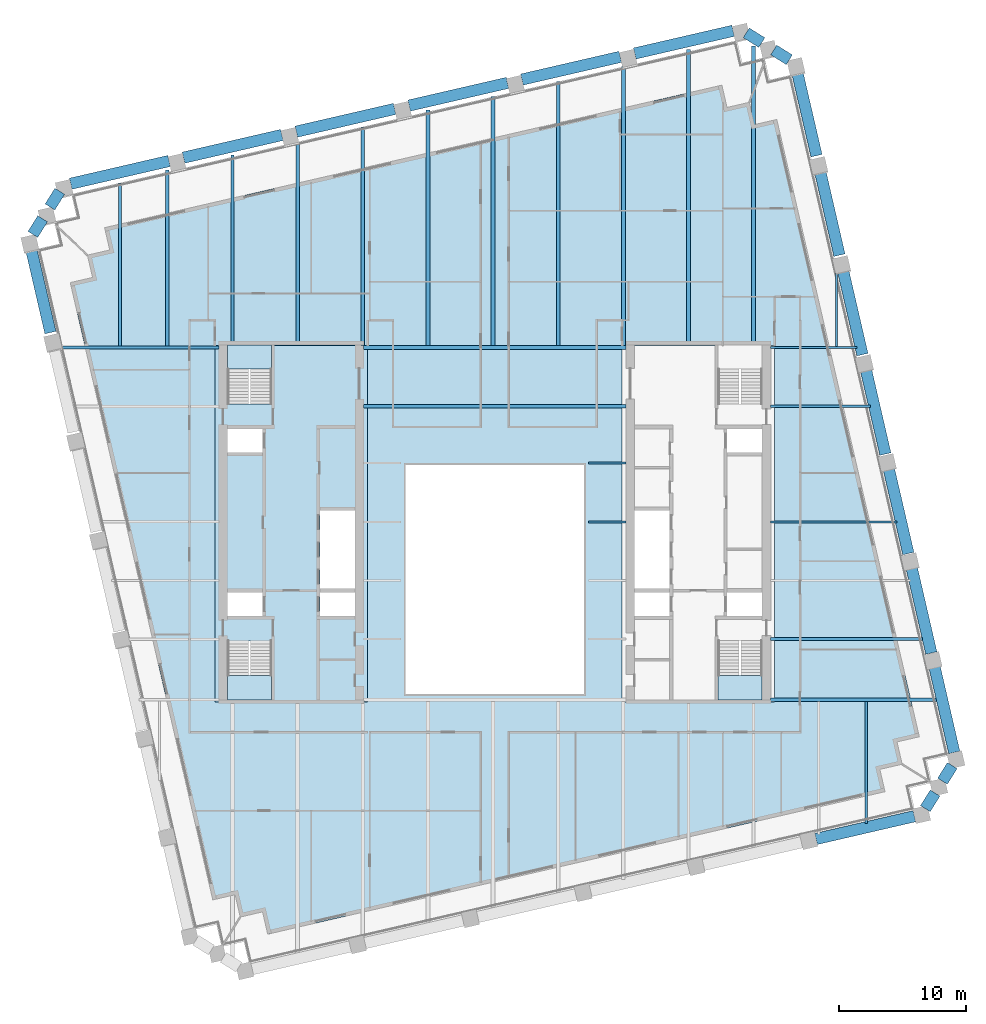
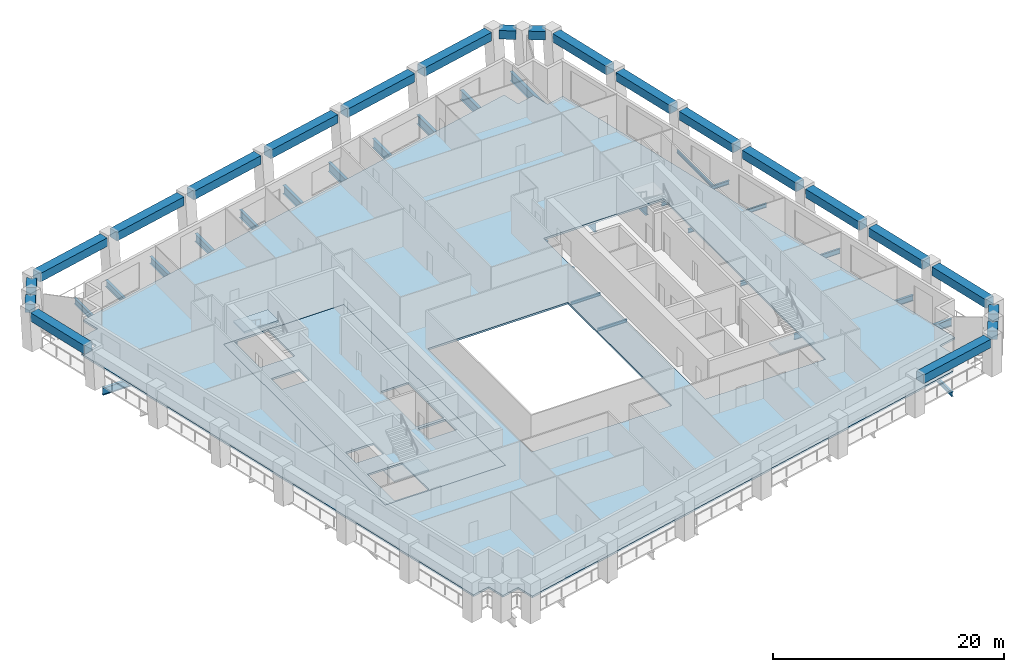
# One storey, part 2 of 10: 44 beams, 5 slabs, 3 elements without a shape of their own.
"""IFC4 building model written with IfcOpenShell, lengths in metres."""

from ifc_helpers import new_model, si_unit, direction, frame, origin, origin_2d, place, context, subcontext, project, spatial, polyline, rectangle, i_section, outline, extrude, material, layer, layer_set, material_profile, profile_set, type_object, element, aggregate, save


model = new_model("IFC4")

# Units and contexts
model_context = context("Model", 3, precision=1e-05, world=origin(), true_north=direction((0.0, 1.0)))
body_context = subcontext(model_context, "Body", "Model", "MODEL_VIEW")
ifc_project = project(units=[si_unit("LENGTHUNIT", "METRE"), si_unit("AREAUNIT", "SQUARE_METRE"), si_unit("VOLUMEUNIT", "CUBIC_METRE"), si_unit("PLANEANGLEUNIT", "RADIAN"), si_unit("MASSUNIT", "GRAM", prefix="KILO")], contexts=[model_context])

# Site, building, storey
site_placement = place(None, origin())
site = spatial("IfcSite", under=ifc_project, at=site_placement, CompositionType="ELEMENT")
building_placement = place(site_placement, origin())
building = spatial("IfcBuilding", under=site, at=building_placement, Name="Ogive Exchange Tower", CompositionType="ELEMENT")
storey_placement = place(building_placement, frame((0.0, 0.0, 180.0)))
storey = spatial("IfcBuildingStorey", under=building, at=storey_placement, Name="L39", CompositionType="ELEMENT", Elevation=180.0)

# Beams
ifc_material_1 = material(Name="Steel ASTM A992 Gr50", Category="steel")
ifc_material_profile_1 = material_profile(ifc_material_1, i_section(OverallWidth=0.300048828125, OverallDepth=0.969970703125, WebThickness=0.01611328125, FlangeThickness=0.02099609375, at=origin_2d()), Name="W1000x222")
ifc_profile_set_1 = profile_set([ifc_material_profile_1], Name="Steel ASTM A992 Gr50")
beam_type_1 = type_object("IfcBeamType", Name="Floor beam W1000x222", PredefinedType="JOIST", material=ifc_profile_set_1)
beam_1_placement = place(storey_placement, frame((-0.135986328125, 25.39501953125, -0.68505859375), z_axis=(0.0, 1.0, 0.0), x_axis=(-1.0, 0.0, 0.0)))
element("IfcBeam", 1, at=beam_1_placement, inside=storey, type_object=beam_type_1, Name="Floor beam", PredefinedType="JOIST", context=body_context, shape_type="SweptSolid", body=[
    extrude(i_section(OverallWidth=0.300048828125, OverallDepth=0.969970703125, WebThickness=0.01611328125, FlangeThickness=0.02099609375, at=origin_2d()), origin(), (0.0, 0.0, 1.0), 19.56640625),
])
ifc_material_profile_2 = material_profile(ifc_material_1, i_section(OverallWidth=0.300048828125, OverallDepth=0.97998046875, WebThickness=0.0166015625, FlangeThickness=0.026123046875, at=origin_2d()), Name="W1000x249")
ifc_profile_set_2 = profile_set([ifc_material_profile_2], Name="Steel ASTM A992 Gr50")
beam_type_2 = type_object("IfcBeamType", Name="Floor beam W1000x249", PredefinedType="JOIST", material=ifc_profile_set_2)
beam_2_placement = place(storey_placement, frame((-10.320068359375, 20.62255859375, -0.68994140625), z_axis=(1.0, 0.0, 0.0), x_axis=(0.0, 1.0, 0.0)))
element("IfcBeam", 2, at=beam_2_placement, inside=storey, type_object=beam_type_2, Name="Floor beam", PredefinedType="JOIST", context=body_context, shape_type="SweptSolid", body=[
    extrude(i_section(OverallWidth=0.300048828125, OverallDepth=0.97998046875, WebThickness=0.0166015625, FlangeThickness=0.026123046875, at=origin_2d()), origin(), (0.0, 0.0, 1.0), 20.64013671875),
])
beam_3_placement = place(storey_placement, frame((4.984619140625, 25.39501953125, -0.68994140625), z_axis=(0.0, 1.0, 0.0), x_axis=(-1.0, 0.0, 0.0)))
element("IfcBeam", 3, at=beam_3_placement, inside=storey, type_object=beam_type_2, Name="Floor beam", PredefinedType="JOIST", context=body_context, shape_type="SweptSolid", body=[
    extrude(i_section(OverallWidth=0.300048828125, OverallDepth=0.97998046875, WebThickness=0.0166015625, FlangeThickness=0.026123046875, at=origin_2d()), origin(), (0.0, 0.0, 1.0), 20.748779296875),
])
beam_4_placement = place(storey_placement, frame((10.10546875, 25.39501953125, -0.68994140625), z_axis=(0.0, 1.0, 0.0), x_axis=(-1.0, 0.0, 0.0)))
element("IfcBeam", 4, at=beam_4_placement, inside=storey, type_object=beam_type_2, Name="Floor beam", PredefinedType="JOIST", context=body_context, shape_type="SweptSolid", body=[
    extrude(i_section(OverallWidth=0.300048828125, OverallDepth=0.97998046875, WebThickness=0.0166015625, FlangeThickness=0.026123046875, at=origin_2d()), origin(), (0.0, 0.0, 1.0), 21.930908203125),
])
beam_5_placement = place(storey_placement, frame((15.226318359375, 25.39990234375, -0.68994140625), z_axis=(0.0, 1.0, 0.0), x_axis=(-1.0, 0.0, 0.0)))
element("IfcBeam", 5, at=beam_5_placement, inside=storey, type_object=beam_type_2, Name="Floor beam", PredefinedType="JOIST", context=body_context, shape_type="SweptSolid", body=[
    extrude(i_section(OverallWidth=0.300048828125, OverallDepth=0.97998046875, WebThickness=0.0166015625, FlangeThickness=0.026123046875, at=origin_2d()), origin(), (0.0, 0.0, 1.0), 23.25830078125),
])
beam_6_placement = place(storey_placement, frame((20.34716796875, 25.39990234375, -0.68994140625), z_axis=(0.0, 1.0, 0.0), x_axis=(-1.0, 0.0, 0.0)))
element("IfcBeam", 6, at=beam_6_placement, inside=storey, type_object=beam_type_2, Name="Floor beam", PredefinedType="JOIST", context=body_context, shape_type="SweptSolid", body=[
    extrude(i_section(OverallWidth=0.300048828125, OverallDepth=0.97998046875, WebThickness=0.0166015625, FlangeThickness=0.026123046875, at=origin_2d()), origin(), (0.0, 0.0, 1.0), 23.54150390625),
])
ifc_material_profile_3 = material_profile(ifc_material_1, i_section(OverallWidth=0.1650390625, OverallDepth=0.31005859375, WebThickness=0.005859375, FlangeThickness=0.009765625, at=origin_2d()), Name="W310x38.7")
ifc_profile_set_3 = profile_set([ifc_material_profile_3], Name="Steel ASTM A992 Gr50")
beam_type_3 = type_object("IfcBeamType", Name="Floor beam W310x38.7", PredefinedType="JOIST", material=ifc_profile_set_3)
beam_7_placement = place(storey_placement, frame((7.3701171875, 11.543701171875, -0.35498046875), z_axis=(1.0, 0.0, 0.0), x_axis=(0.0, 1.0, 0.0)))
element("IfcBeam", 7, at=beam_7_placement, inside=storey, type_object=beam_type_3, Name="Floor beam", PredefinedType="JOIST", context=body_context, shape_type="SweptSolid", body=[
    extrude(i_section(OverallWidth=0.1650390625, OverallDepth=0.31005859375, WebThickness=0.005859375, FlangeThickness=0.009765625, at=origin_2d()), origin(), (0.0, 0.0, 1.0), 2.949951171875),
])
beam_8_placement = place(storey_placement, frame((26.867919921875, 25.333984375, -0.35498046875), z_axis=(0.0, 1.0, 0.0), x_axis=(-1.0, 0.0, 0.0)))
element("IfcBeam", 8, at=beam_8_placement, inside=storey, type_object=beam_type_3, Name="Floor beam", PredefinedType="JOIST", context=body_context, shape_type="SweptSolid", body=[
    extrude(i_section(OverallWidth=0.1650390625, OverallDepth=0.31005859375, WebThickness=0.005859375, FlangeThickness=0.009765625, at=origin_2d()), origin(), (0.0, 0.0, 1.0), 6.151123046875),
])
ifc_material_profile_4 = material_profile(ifc_material_1, i_section(OverallWidth=0.177978515625, OverallDepth=0.406005859375, WebThickness=0.0078125, FlangeThickness=0.0126953125, at=origin_2d()), Name="W410x60")
ifc_profile_set_4 = profile_set([ifc_material_profile_4], Name="Steel ASTM A992 Gr50")
beam_type_4 = type_object("IfcBeamType", Name="Floor beam W410x60", PredefinedType="JOIST", material=ifc_profile_set_4)
beam_9_placement = place(storey_placement, frame((21.679931640625, 20.62255859375, -0.403076171875), z_axis=(1.0, 0.0, 0.0), x_axis=(0.0, 1.0, 0.0)))
element("IfcBeam", 9, at=beam_9_placement, inside=storey, type_object=beam_type_4, Name="Floor beam", PredefinedType="JOIST", context=body_context, shape_type="SweptSolid", body=[
    extrude(i_section(OverallWidth=0.177978515625, OverallDepth=0.406005859375, WebThickness=0.0078125, FlangeThickness=0.0126953125, at=origin_2d()), origin(), (0.0, 0.0, 1.0), 7.845703125),
])
ifc_material_profile_5 = material_profile(ifc_material_1, i_section(OverallWidth=0.19091796875, OverallDepth=0.45703125, WebThickness=0.009033203125, FlangeThickness=0.014404296875, at=origin_2d()), Name="W460x74")
ifc_profile_set_5 = profile_set([ifc_material_profile_5], Name="Steel ASTM A992 Gr50")
beam_type_5 = type_object("IfcBeamType", Name="Floor beam W460x74", PredefinedType="JOIST", material=ifc_profile_set_5)
beam_10_placement = place(storey_placement, frame((29.188720703125, -12.162109375, -0.428466796875), z_axis=(0.0, 1.0, 0.0), x_axis=(-1.0, 0.0, 0.0)))
element("IfcBeam", 10, at=beam_10_placement, inside=storey, type_object=beam_type_5, Name="Floor beam", PredefinedType="JOIST", context=body_context, shape_type="SweptSolid", body=[
    extrude(i_section(OverallWidth=0.19091796875, OverallDepth=0.45703125, WebThickness=0.009033203125, FlangeThickness=0.014404296875, at=origin_2d()), origin(), (0.0, 0.0, 1.0), 9.58349609375),
])
ifc_material_profile_6 = material_profile(ifc_material_1, i_section(OverallWidth=0.1669921875, OverallDepth=0.535888671875, WebThickness=0.01025390625, FlangeThickness=0.0166015625, at=origin_2d()), Name="W530x85")
ifc_profile_set_6 = profile_set([ifc_material_profile_6], Name="Steel ASTM A992 Gr50")
beam_type_6 = type_object("IfcBeamType", Name="Floor beam W530x85", PredefinedType="JOIST", material=ifc_profile_set_6)
beam_11_placement = place(storey_placement, frame((21.679931640625, 11.543701171875, -0.468017578125), z_axis=(1.0, 0.0, 0.0), x_axis=(0.0, 1.0, 0.0)))
element("IfcBeam", 11, at=beam_11_placement, inside=storey, type_object=beam_type_6, Name="Floor beam", PredefinedType="JOIST", context=body_context, shape_type="SweptSolid", body=[
    extrude(i_section(OverallWidth=0.1669921875, OverallDepth=0.535888671875, WebThickness=0.01025390625, FlangeThickness=0.0166015625, at=origin_2d()), origin(), (0.0, 0.0, 1.0), 9.941650390625),
])
ifc_material_profile_7 = material_profile(ifc_material_1, i_section(OverallWidth=0.22802734375, OverallDepth=0.60205078125, WebThickness=0.010498046875, FlangeThickness=0.014892578125, at=origin_2d()), Name="W610x101")
ifc_profile_set_7 = profile_set([ifc_material_profile_7], Name="Steel ASTM A992 Gr50")
beam_type_7 = type_object("IfcBeamType", Name="Floor beam W610x101", PredefinedType="JOIST", material=ifc_profile_set_7)
beam_12_placement = place(storey_placement, frame((21.679931640625, 2.3212890625, -0.5009765625), z_axis=(1.0, 0.0, 0.0), x_axis=(0.0, 1.0, 0.0)))
element("IfcBeam", 12, at=beam_12_placement, inside=storey, type_object=beam_type_7, Name="Floor beam", PredefinedType="JOIST", context=body_context, shape_type="SweptSolid", body=[
    extrude(i_section(OverallWidth=0.22802734375, OverallDepth=0.60205078125, WebThickness=0.010498046875, FlangeThickness=0.014892578125, at=origin_2d()), origin(), (0.0, 0.0, 1.0), 11.9208984375),
])
ifc_material_profile_8 = material_profile(ifc_material_1, i_section(OverallWidth=0.22900390625, OverallDepth=0.612060546875, WebThickness=0.011962890625, FlangeThickness=0.01953125, at=origin_2d()), Name="W610x125")
ifc_profile_set_8 = profile_set([ifc_material_profile_8], Name="Steel ASTM A992 Gr50")
beam_type_8 = type_object("IfcBeamType", Name="Floor beam W610x125", PredefinedType="JOIST", material=ifc_profile_set_8)
beam_13_placement = place(storey_placement, frame((-29.4609375, 25.37841796875, -0.506103515625), z_axis=(0.0, 1.0, 0.0), x_axis=(-1.0, 0.0, 0.0)))
element("IfcBeam", 13, at=beam_13_placement, inside=storey, type_object=beam_type_8, Name="Floor beam", PredefinedType="JOIST", context=body_context, shape_type="SweptSolid", body=[
    extrude(i_section(OverallWidth=0.22900390625, OverallDepth=0.612060546875, WebThickness=0.011962890625, FlangeThickness=0.01953125, at=origin_2d()), origin(), (0.0, 0.0, 1.0), 12.81298828125),
])
ifc_material_profile_9 = material_profile(ifc_material_1, i_section(OverallWidth=0.25390625, OverallDepth=0.677978515625, WebThickness=0.01171875, FlangeThickness=0.016357421875, at=origin_2d()), Name="W690x125")
ifc_profile_set_9 = profile_set([ifc_material_profile_9], Name="Steel ASTM A992 Gr50")
beam_type_9 = type_object("IfcBeamType", Name="Floor beam W690x125", PredefinedType="JOIST", material=ifc_profile_set_9)
beam_14_placement = place(storey_placement, frame((-25.739990234375, 25.37841796875, -0.5390625), z_axis=(0.0, 1.0, 0.0), x_axis=(-1.0, 0.0, 0.0)))
element("IfcBeam", 14, at=beam_14_placement, inside=storey, type_object=beam_type_9, Name="Floor beam", PredefinedType="JOIST", context=body_context, shape_type="SweptSolid", body=[
    extrude(i_section(OverallWidth=0.25390625, OverallDepth=0.677978515625, WebThickness=0.01171875, FlangeThickness=0.016357421875, at=origin_2d()), origin(), (0.0, 0.0, 1.0), 13.82177734375),
])
ifc_material_profile_10 = material_profile(ifc_material_1, i_section(OverallWidth=0.26708984375, OverallDepth=0.75390625, WebThickness=0.01318359375, FlangeThickness=0.01708984375, at=origin_2d()), Name="W760x147")
ifc_profile_set_10 = profile_set([ifc_material_profile_10], Name="Steel ASTM A992 Gr50")
beam_type_10 = type_object("IfcBeamType", Name="Floor beam W760x147", PredefinedType="JOIST", material=ifc_profile_set_10)
beam_15_placement = place(storey_placement, frame((-20.619384765625, 25.39990234375, -0.576904296875), z_axis=(0.0, 1.0, 0.0), x_axis=(-1.0, 0.0, 0.0)))
element("IfcBeam", 15, at=beam_15_placement, inside=storey, type_object=beam_type_10, Name="Floor beam", PredefinedType="JOIST", context=body_context, shape_type="SweptSolid", body=[
    extrude(i_section(OverallWidth=0.26708984375, OverallDepth=0.75390625, WebThickness=0.01318359375, FlangeThickness=0.01708984375, at=origin_2d()), origin(), (0.0, 0.0, 1.0), 14.982666015625),
])
ifc_material_profile_11 = material_profile(ifc_material_1, i_section(OverallWidth=0.2919921875, OverallDepth=0.8359375, WebThickness=0.013916015625, FlangeThickness=0.018798828125, at=origin_2d()), Name="W840x176")
ifc_profile_set_11 = profile_set([ifc_material_profile_11], Name="Steel ASTM A992 Gr50")
beam_type_11 = type_object("IfcBeamType", Name="Floor beam W840x176", PredefinedType="JOIST", material=ifc_profile_set_11)
beam_16_placement = place(storey_placement, frame((-15.49853515625, 25.39990234375, -0.617919921875), z_axis=(0.0, 1.0, 0.0), x_axis=(-1.0, 0.0, 0.0)))
element("IfcBeam", 16, at=beam_16_placement, inside=storey, type_object=beam_type_11, Name="Floor beam", PredefinedType="JOIST", context=body_context, shape_type="SweptSolid", body=[
    extrude(i_section(OverallWidth=0.2919921875, OverallDepth=0.8359375, WebThickness=0.013916015625, FlangeThickness=0.018798828125, at=origin_2d()), origin(), (0.0, 0.0, 1.0), 16.014892578125),
])
beam_17_placement = place(storey_placement, frame((-10.377685546875, 25.39990234375, -0.617919921875), z_axis=(0.0, 1.0, 0.0), x_axis=(-1.0, 0.0, 0.0)))
element("IfcBeam", 17, at=beam_17_placement, inside=storey, type_object=beam_type_11, Name="Floor beam", PredefinedType="JOIST", context=body_context, shape_type="SweptSolid", body=[
    extrude(i_section(OverallWidth=0.2919921875, OverallDepth=0.8359375, WebThickness=0.013916015625, FlangeThickness=0.018798828125, at=origin_2d()), origin(), (0.0, 0.0, 1.0), 17.197021484375),
])
ifc_material_profile_12 = material_profile(ifc_material_1, i_section(OverallWidth=0.304931640625, OverallDepth=0.904052734375, WebThickness=0.01513671875, FlangeThickness=0.02001953125, at=origin_2d()), Name="W920x201")
ifc_profile_set_12 = profile_set([ifc_material_profile_12], Name="Steel ASTM A992 Gr50")
beam_type_12 = type_object("IfcBeamType", Name="Floor beam W920x201", PredefinedType="JOIST", material=ifc_profile_set_12)
beam_18_placement = place(storey_placement, frame((-5.2568359375, 25.39501953125, -0.652099609375), z_axis=(0.0, 1.0, 0.0), x_axis=(-1.0, 0.0, 0.0)))
element("IfcBeam", 18, at=beam_18_placement, inside=storey, type_object=beam_type_12, Name="Floor beam", PredefinedType="JOIST", context=body_context, shape_type="SweptSolid", body=[
    extrude(i_section(OverallWidth=0.304931640625, OverallDepth=0.904052734375, WebThickness=0.01513671875, FlangeThickness=0.02001953125, at=origin_2d()), origin(), (0.0, 0.0, 1.0), 18.5341796875),
])
ifc_material_profile_13 = material_profile(ifc_material_1, i_section(OverallWidth=0.300048828125, OverallDepth=0.97998046875, WebThickness=0.0166015625, FlangeThickness=0.026123046875, at=origin_2d()), Name="W1000x249")
ifc_profile_set_13 = profile_set([ifc_material_profile_13], Name="Steel ASTM A992 Gr50")
beam_type_13 = type_object("IfcBeamType", Name="Girder W1000x249", PredefinedType="BEAM", material=ifc_profile_set_13)
beam_19_placement = place(storey_placement, frame((-10.320068359375, 25.2451171875, -0.68994140625), z_axis=(1.0, 0.0, 0.0), x_axis=(0.0, 1.0, 0.0)))
element("IfcBeam", 19, at=beam_19_placement, inside=storey, type_object=beam_type_13, Name="Header girder", PredefinedType="BEAM", context=body_context, shape_type="SweptSolid", body=[
    extrude(i_section(OverallWidth=0.300048828125, OverallDepth=0.97998046875, WebThickness=0.0166015625, FlangeThickness=0.026123046875, at=origin_2d()), origin(), (0.0, 0.0, 1.0), 20.64013671875),
])
ifc_material_profile_14 = material_profile(ifc_material_1, i_section(OverallWidth=0.1650390625, OverallDepth=0.31005859375, WebThickness=0.005859375, FlangeThickness=0.009765625, at=origin_2d()), Name="W310x38.7")
ifc_profile_set_14 = profile_set([ifc_material_profile_14], Name="Steel ASTM A992 Gr50")
beam_type_14 = type_object("IfcBeamType", Name="Girder W310x38.7", PredefinedType="BEAM", material=ifc_profile_set_14)
beam_20_placement = place(storey_placement, frame((7.3701171875, 16.155029296875, -0.35498046875), z_axis=(1.0, 0.0, 0.0), x_axis=(0.0, 1.0, 0.0)))
element("IfcBeam", 20, at=beam_20_placement, inside=storey, type_object=beam_type_14, Name="Trimmer girder", PredefinedType="BEAM", context=body_context, shape_type="SweptSolid", body=[
    extrude(i_section(OverallWidth=0.1650390625, OverallDepth=0.31005859375, WebThickness=0.005859375, FlangeThickness=0.009765625, at=origin_2d()), origin(), (0.0, 0.0, 1.0), 2.949951171875),
])
ifc_material_profile_15 = material_profile(ifc_material_1, i_section(OverallWidth=0.177978515625, OverallDepth=0.406005859375, WebThickness=0.0078125, FlangeThickness=0.0126953125, at=origin_2d()), Name="W410x60")
ifc_profile_set_15 = profile_set([ifc_material_profile_15], Name="Steel ASTM A992 Gr50")
beam_type_15 = type_object("IfcBeamType", Name="Girder W410x60", PredefinedType="BEAM", material=ifc_profile_set_15)
beam_21_placement = place(storey_placement, frame((21.679931640625, 25.2451171875, -0.403076171875), z_axis=(1.0, 0.0, 0.0), x_axis=(0.0, 1.0, 0.0)))
element("IfcBeam", 21, at=beam_21_placement, inside=storey, type_object=beam_type_15, Name="Header girder", PredefinedType="BEAM", context=body_context, shape_type="SweptSolid", body=[
    extrude(i_section(OverallWidth=0.177978515625, OverallDepth=0.406005859375, WebThickness=0.0078125, FlangeThickness=0.0126953125, at=origin_2d()), origin(), (0.0, 0.0, 1.0), 6.778564453125),
])
ifc_material_profile_16 = material_profile(ifc_material_1, i_section(OverallWidth=0.26708984375, OverallDepth=0.75390625, WebThickness=0.01318359375, FlangeThickness=0.01708984375, at=origin_2d()), Name="W760x147")
ifc_profile_set_16 = profile_set([ifc_material_profile_16], Name="Steel ASTM A992 Gr50")
beam_type_16 = type_object("IfcBeamType", Name="Girder W760x147", PredefinedType="BEAM", material=ifc_profile_set_16)
beam_22_placement = place(storey_placement, frame((21.679931640625, -2.445068359375, -0.576904296875), z_axis=(1.0, 0.0, 0.0), x_axis=(0.0, 1.0, 0.0)))
element("IfcBeam", 22, at=beam_22_placement, inside=storey, type_object=beam_type_16, Name="Header girder", PredefinedType="BEAM", context=body_context, shape_type="SweptSolid", body=[
    extrude(i_section(OverallWidth=0.26708984375, OverallDepth=0.75390625, WebThickness=0.01318359375, FlangeThickness=0.01708984375, at=origin_2d()), origin(), (0.0, 0.0, 1.0), 13.021484375),
])
beam_23_placement = place(storey_placement, frame((-34.193359375, 25.2451171875, -0.576904296875), z_axis=(1.0, 0.0, 0.0), x_axis=(0.0, 1.0, 0.0)))
element("IfcBeam", 23, at=beam_23_placement, inside=storey, type_object=beam_type_16, Name="Header girder", PredefinedType="BEAM", context=body_context, shape_type="SweptSolid", body=[
    extrude(i_section(OverallWidth=0.26708984375, OverallDepth=0.75390625, WebThickness=0.01318359375, FlangeThickness=0.01708984375, at=origin_2d()), origin(), (0.0, 0.0, 1.0), 12.513427734375),
])
ifc_material_2 = material(Name="Precast concrete C70/85 (limestone faced)", Category="masonry")
ifc_material_profile_17 = material_profile(ifc_material_2, rectangle(XDim=0.89990234375, YDim=0.89990234375, at=origin_2d()), Name="900 x 900")
ifc_profile_set_17 = profile_set([ifc_material_profile_17], Name="Precast concrete C70/85 (limestone faced)")
beam_type_17 = type_object("IfcBeamType", Name="Precast spandrel 900 x 900 C70/85", PredefinedType="SPANDREL", material=ifc_profile_set_17)
beam_24_placement = place(storey_placement, frame((25.249755859375, -13.383544921875, 3.5), z_axis=(0.974368388194, 0.224958316335, 0.0), x_axis=(-0.224958316335, 0.974368388194, 0.0)))
element("IfcBeam", 24, at=beam_24_placement, inside=storey, type_object=beam_type_17, Name="Spandrel 6", PredefinedType="SPANDREL", context=body_context, shape_type="SweptSolid", body=[
    extrude(rectangle(XDim=0.89990234375, YDim=0.89990234375, at=origin_2d()), origin(), (0.0, 0.0, 1.0), 7.93994140625),
])
for number, where, z_axis, x_axis, name in (
    (25, (33.842041015625, -11.001708984375, 3.5), (0.529877740036, 0.848074041941, 0.0), (-0.848074041941, 0.529877740036, 0.0), "Spandrel 7"),
    (26, (35.19091796875, -8.843017578125, 3.5), (0.529877740036, 0.848074041941, 0.0), (-0.848074041941, 0.529877740036, 0.0), "Spandrel 8"),
):
    element("IfcBeam", number, at=place(storey_placement, frame(where, z_axis=z_axis, x_axis=x_axis)), inside=storey, type_object=beam_type_17, Name=name, PredefinedType="SPANDREL", context=body_context, shape_type="SweptSolid", body=[
        extrude(rectangle(XDim=0.89990234375, YDim=0.89990234375, at=origin_2d()), origin(), (0.0, 0.0, 1.0), 1.448486328125),
    ])
for number, where, z_axis, x_axis, name in (
    (27, (36.11865234375, -6.584228515625, 3.5), (-0.224953030258, 0.974369608607, 0.0), (-0.974369608607, -0.224953030258, 0.0), "Spandrel 9"),
    (28, (34.31396484375, 1.2333984375, 3.5), (-0.224953030258, 0.974369608607, 0.0), (-0.974369608607, -0.224953030258, 0.0), "Spandrel 10"),
    (29, (32.509033203125, 9.051025390625, 3.5), (-0.224953030258, 0.974369608607, 0.0), (-0.974369608607, -0.224953030258, 0.0), "Spandrel 11"),
):
    element("IfcBeam", number, at=place(storey_placement, frame(where, z_axis=z_axis, x_axis=x_axis)), inside=storey, type_object=beam_type_17, Name=name, PredefinedType="SPANDREL", context=body_context, shape_type="SweptSolid", body=[
        extrude(rectangle(XDim=0.89990234375, YDim=0.89990234375, at=origin_2d()), origin(), (0.0, 0.0, 1.0), 6.863525390625),
    ])
beam_25_placement = place(storey_placement, frame((30.7041015625, 16.868896484375, 3.5), z_axis=(-0.224927054581, 0.974375605256, 0.0), x_axis=(-0.974375605256, -0.224927054581, 0.0)))
element("IfcBeam", 30, at=beam_25_placement, inside=storey, type_object=beam_type_17, Name="Spandrel 12", PredefinedType="SPANDREL", context=body_context, shape_type="SweptSolid", body=[
    extrude(rectangle(XDim=0.89990234375, YDim=0.89990234375, at=origin_2d()), origin(), (0.0, 0.0, 1.0), 6.863037109375),
])
beam_26_placement = place(storey_placement, frame((28.8994140625, 24.686279296875, 3.5), z_axis=(-0.224953030258, 0.974369608607, 0.0), x_axis=(-0.974369608607, -0.224953030258, 0.0)))
element("IfcBeam", 31, at=beam_26_placement, inside=storey, type_object=beam_type_17, Name="Spandrel 13", PredefinedType="SPANDREL", context=body_context, shape_type="SweptSolid", body=[
    extrude(rectangle(XDim=0.89990234375, YDim=0.89990234375, at=origin_2d()), origin(), (0.0, 0.0, 1.0), 6.863525390625),
])
for number, where, z_axis, x_axis, name in (
    (32, (27.094482421875, 32.504150390625, 3.5), (-0.224960827306, 0.974367808467, 0.0), (-0.974367808467, -0.224960827306, 0.0), "Spandrel 14"),
    (33, (25.28955078125, 40.32177734375, 3.5), (-0.224960827306, 0.974367808467, 0.0), (-0.974367808467, -0.224960827306, 0.0), "Spandrel 15"),
):
    element("IfcBeam", number, at=place(storey_placement, frame(where, z_axis=z_axis, x_axis=x_axis)), inside=storey, type_object=beam_type_17, Name=name, PredefinedType="SPANDREL", context=body_context, shape_type="SweptSolid", body=[
        extrude(rectangle(XDim=0.89990234375, YDim=0.89990234375, at=origin_2d()), origin(), (0.0, 0.0, 1.0), 6.86328125),
    ])
for number, where, z_axis, x_axis, name in (
    (34, (23.150146484375, 47.864990234375, 3.5), (-0.848074041941, 0.529877740036, 0.0), (-0.529877740036, -0.848074041941, 0.0), "Spandrel 16"),
    (35, (20.9912109375, 49.2138671875, 3.5), (-0.848026711821, 0.529953484787, 0.0), (-0.529953484787, -0.848026711821, 0.0), "Spandrel 17"),
):
    element("IfcBeam", number, at=place(storey_placement, frame(where, z_axis=z_axis, x_axis=x_axis)), inside=storey, type_object=beam_type_17, Name=name, PredefinedType="SPANDREL", context=body_context, shape_type="SweptSolid", body=[
        extrude(rectangle(XDim=0.89990234375, YDim=0.89990234375, at=origin_2d()), origin(), (0.0, 0.0, 1.0), 1.448486328125),
    ])
beam_27_placement = place(storey_placement, frame((18.732666015625, 50.1416015625, 3.5), z_axis=(-0.974376683324, -0.224922384377, 0.0), x_axis=(0.224922384377, -0.974376683324, 0.0)))
element("IfcBeam", 36, at=beam_27_placement, inside=storey, type_object=beam_type_17, Name="Spandrel 18", PredefinedType="SPANDREL", context=body_context, shape_type="SweptSolid", body=[
    extrude(rectangle(XDim=0.89990234375, YDim=0.89990234375, at=origin_2d()), origin(), (0.0, 0.0, 1.0), 7.93994140625),
])
beam_28_placement = place(storey_placement, frame((9.86572265625, 48.094482421875, 3.5), z_axis=(-0.974375127705, -0.224929123301, 0.0), x_axis=(0.224929123301, -0.974375127705, 0.0)))
element("IfcBeam", 37, at=beam_28_placement, inside=storey, type_object=beam_type_17, Name="Spandrel 19", PredefinedType="SPANDREL", context=body_context, shape_type="SweptSolid", body=[
    extrude(rectangle(XDim=0.89990234375, YDim=0.89990234375, at=origin_2d()), origin(), (0.0, 0.0, 1.0), 7.939697265625),
])
for number, where, z_axis, x_axis, name in (
    (38, (0.9990234375, 46.047607421875, 3.5), (-0.974369944206, -0.224951576629, 0.0), (0.224951576629, -0.974369944206, 0.0), "Spandrel 20"),
    (39, (-7.86767578125, 44.00048828125, 3.5), (-0.974369944206, -0.224951576629, 0.0), (0.224951576629, -0.974369944206, 0.0), "Spandrel 21"),
):
    element("IfcBeam", number, at=place(storey_placement, frame(where, z_axis=z_axis, x_axis=x_axis)), inside=storey, type_object=beam_type_17, Name=name, PredefinedType="SPANDREL", context=body_context, shape_type="SweptSolid", body=[
        extrude(rectangle(XDim=0.89990234375, YDim=0.89990234375, at=origin_2d()), origin(), (0.0, 0.0, 1.0), 7.940185546875),
    ])
beam_29_placement = place(storey_placement, frame((-16.734619140625, 41.95361328125, 3.5), z_axis=(-0.974368388194, -0.224958316335, 0.0), x_axis=(0.224958316335, -0.974368388194, 0.0)))
element("IfcBeam", 40, at=beam_29_placement, inside=storey, type_object=beam_type_17, Name="Spandrel 22", PredefinedType="SPANDREL", context=body_context, shape_type="SweptSolid", body=[
    extrude(rectangle(XDim=0.89990234375, YDim=0.89990234375, at=origin_2d()), origin(), (0.0, 0.0, 1.0), 7.93994140625),
])
beam_30_placement = place(storey_placement, frame((-25.601318359375, 39.906494140625, 3.5), z_axis=(-0.974369944206, -0.224951576629, 0.0), x_axis=(0.224951576629, -0.974369944206, 0.0)))
element("IfcBeam", 41, at=beam_30_placement, inside=storey, type_object=beam_type_17, Name="Spandrel 23", PredefinedType="SPANDREL", context=body_context, shape_type="SweptSolid", body=[
    extrude(rectangle(XDim=0.89990234375, YDim=0.89990234375, at=origin_2d()), origin(), (0.0, 0.0, 1.0), 7.940185546875),
])
for number, where, z_axis, x_axis, name in (
    (42, (-34.193603515625, 37.524658203125, 3.5), (-0.529877740036, -0.848074041941, 0.0), (0.848074041941, -0.529877740036, 0.0), "Spandrel 24"),
    (43, (-35.54248046875, 35.365966796875, 3.5), (-0.529877740036, -0.848074041941, 0.0), (0.848074041941, -0.529877740036, 0.0), "Spandrel 25"),
):
    element("IfcBeam", number, at=place(storey_placement, frame(where, z_axis=z_axis, x_axis=x_axis)), inside=storey, type_object=beam_type_17, Name=name, PredefinedType="SPANDREL", context=body_context, shape_type="SweptSolid", body=[
        extrude(rectangle(XDim=0.89990234375, YDim=0.89990234375, at=origin_2d()), origin(), (0.0, 0.0, 1.0), 1.448486328125),
    ])
beam_31_placement = place(storey_placement, frame((-36.47021484375, 33.107177734375, 3.5), z_axis=(0.224927054581, -0.974375605256, 0.0), x_axis=(0.974375605256, 0.224927054581, 0.0)))
element("IfcBeam", 44, at=beam_31_placement, inside=storey, type_object=beam_type_17, Name="Spandrel 26", PredefinedType="SPANDREL", context=body_context, shape_type="SweptSolid", body=[
    extrude(rectangle(XDim=0.89990234375, YDim=0.89990234375, at=origin_2d()), origin(), (0.0, 0.0, 1.0), 6.863037109375),
])

# Slabs
ifc_material_3 = material(Name="Concrete C50/60", Category="concrete")
ifc_layer_1 = layer(ifc_material_3, 0.199951171875)
ifc_layer_set_1 = layer_set([ifc_layer_1], Name="Composite floor slab 200")
slab_type_1 = type_object("IfcSlabType", Name="Composite floor slab 200", PredefinedType="FLOOR", material=ifc_layer_set_1)
slab_1_placement = place(storey_placement, frame((0.0, 0.0, -0.199951171875)))
element("IfcSlab", 45, at=slab_1_placement, inside=storey, type_object=slab_type_1, Name="Composite floor slab", PredefinedType="FLOOR", context=body_context, shape_type="SweptSolid", body=[
    extrude(outline(polyline([(-18.255615234375, -19.116943359375), (-20.009521484375, -19.52197265625), (-20.414306640625, -17.76806640625), (-22.168212890625, -18.1728515625), (-33.370849609375, 30.3505859375), (-31.616943359375, 30.755615234375), (-32.02197265625, 32.509521484375), (-30.26806640625, 32.914306640625), (-30.6728515625, 34.668212890625), (17.8505859375, 45.870849609375), (18.255615234375, 44.116943359375), (20.009521484375, 44.52197265625), (20.414306640625, 42.76806640625), (22.168212890625, 43.1728515625), (33.370849609375, -5.3505859375), (31.616943359375, -5.755615234375), (32.02197265625, -7.509521484375), (30.26806640625, -7.914306640625), (30.6728515625, -9.668212890625), (-17.8505859375, -20.870849609375), (-18.255615234375, -19.116943359375)]), holes=[polyline([(7.0, -2.0), (7.0, 16.0), (-7.0, 16.0), (-7.0, -2.0), (7.0, -2.0)]), polyline([(-22.0, -2.60009765625), (-10.0, -2.60009765625), (-10.0, 25.39990234375), (-22.0, 25.39990234375), (-22.0, -2.60009765625)]), polyline([(10.0, -2.60009765625), (22.0, -2.60009765625), (22.0, 25.39990234375), (10.0, 25.39990234375), (10.0, -2.60009765625)])]), origin(), (0.0, 0.0, 1.0), 0.199951171875),
])
ifc_material_4 = material(Name="Concrete C70/85", Category="concrete")
ifc_layer_2 = layer(ifc_material_4, 0.199951171875)
ifc_layer_set_2 = layer_set([ifc_layer_2], Name="Core floor slab 200")
slab_type_2 = type_object("IfcSlabType", Name="Core floor slab 200", PredefinedType="FLOOR", material=ifc_layer_set_2)
slab_2_placement = place(storey_placement, frame((0.0, 0.0, -0.199951171875)))
element("IfcSlab", 46, at=slab_2_placement, inside=storey, type_object=slab_type_2, Name="Core floor slab", PredefinedType="FLOOR", context=body_context, shape_type="SweptSolid", body=[
    extrude(outline(polyline([(-10.0, 25.39990234375), (-10.0, -2.60009765625), (-22.0, -2.60009765625), (-22.0, 25.39990234375), (-21.0, 25.39990234375), (-21.0, 20.803955078125), (-17.550048828125, 20.803955078125), (-17.550048828125, 25.39990234375), (-10.0, 25.39990234375)]), holes=[polyline([(-17.550048828125, 2.196044921875), (-21.0, 2.196044921875), (-21.0, -2.449951171875), (-17.550048828125, -2.449951171875), (-17.550048828125, 2.196044921875)]), polyline([(-18.25, 5.992919921875), (-21.0, 5.992919921875), (-21.0, 4.14990234375), (-18.25, 4.14990234375), (-18.25, 5.992919921875)]), polyline([(-11.0, 5.992919921875), (-13.75, 5.992919921875), (-13.75, 4.14990234375), (-11.0, 4.14990234375), (-11.0, 5.992919921875)]), polyline([(-13.75, 12.42138671875), (-13.75, 6.29296875), (-11.0, 6.29296875), (-11.0, 12.42138671875), (-13.75, 12.42138671875)]), polyline([(-18.25, 18.85009765625), (-21.0, 18.85009765625), (-21.0, 17.007080078125), (-18.25, 17.007080078125), (-18.25, 18.85009765625)])]), origin(), (0.0, 0.0, 1.0), 0.199951171875),
])

# Stair, slab
ifc_material_5 = material(Name="Concrete C40/50", Category="concrete")
stair_type = type_object("IfcStairType", Name="Exit stair 1650 wide", PredefinedType="HALF_TURN_STAIR", material=ifc_material_5)
stair_1_placement = place(storey_placement, origin())
stair_1 = element("IfcStair", 47, at=stair_1_placement, inside=storey, type_object=stair_type, Name="L39 exit stair ST1", PredefinedType="HALF_TURN_STAIR")
ifc_layer_3 = layer(ifc_material_5, 0.199951171875)
ifc_layer_set_3 = layer_set([ifc_layer_3], Name="Stair landing 200 slab")
slab_type_3 = type_object("IfcSlabType", Name="Stair landing 200 slab", PredefinedType="LANDING", material=ifc_layer_set_3)
slab_3_placement = place(storey_placement, frame((0.0, 0.0, 1.89990234375)))
slab_3 = element("IfcSlab", 48, at=slab_3_placement, type_object=slab_type_3, Name="ST1 landing 1", PredefinedType="LANDING", context=body_context, shape_type="SweptSolid", body=[
    extrude(outline(polyline([(-21.0, -0.550048828125), (-21.0, -2.449951171875), (-17.550048828125, -2.449951171875), (-17.550048828125, -0.550048828125), (-21.0, -0.550048828125)])), origin(), (0.0, 0.0, 1.0), 0.2001953125),
])
aggregate(stair_1, [slab_3])

stair_2_placement = place(storey_placement, origin())
stair_2 = element("IfcStair", 49, at=stair_2_placement, inside=storey, type_object=stair_type, Name="L39 exit stair ST2", PredefinedType="HALF_TURN_STAIR")
slab_4_placement = place(storey_placement, frame((0.0, 0.0, 1.89990234375)))
slab_4 = element("IfcSlab", 50, at=slab_4_placement, type_object=slab_type_3, Name="ST2 landing 1", PredefinedType="LANDING", context=body_context, shape_type="SweptSolid", body=[
    extrude(outline(polyline([(-17.550048828125, 23.550048828125), (-17.550048828125, 25.449951171875), (-21.0, 25.449951171875), (-21.0, 23.550048828125), (-17.550048828125, 23.550048828125)])), origin(), (0.0, 0.0, 1.0), 0.2001953125),
])
aggregate(stair_2, [slab_4])

stair_3_placement = place(storey_placement, origin())
stair_3 = element("IfcStair", 51, at=stair_3_placement, inside=storey, type_object=stair_type, Name="L39 exit stair ST3", PredefinedType="HALF_TURN_STAIR")
slab_5_placement = place(storey_placement, frame((0.0, 0.0, 1.89990234375)))
slab_5 = element("IfcSlab", 52, at=slab_5_placement, type_object=slab_type_3, Name="ST3 landing 1", PredefinedType="LANDING", context=body_context, shape_type="SweptSolid", body=[
    extrude(outline(polyline([(17.550048828125, -0.550048828125), (17.550048828125, -2.449951171875), (21.0, -2.449951171875), (21.0, -0.550048828125), (17.550048828125, -0.550048828125)])), origin(), (0.0, 0.0, 1.0), 0.2001953125),
])
aggregate(stair_3, [slab_5])

save(model, "model.ifc")
